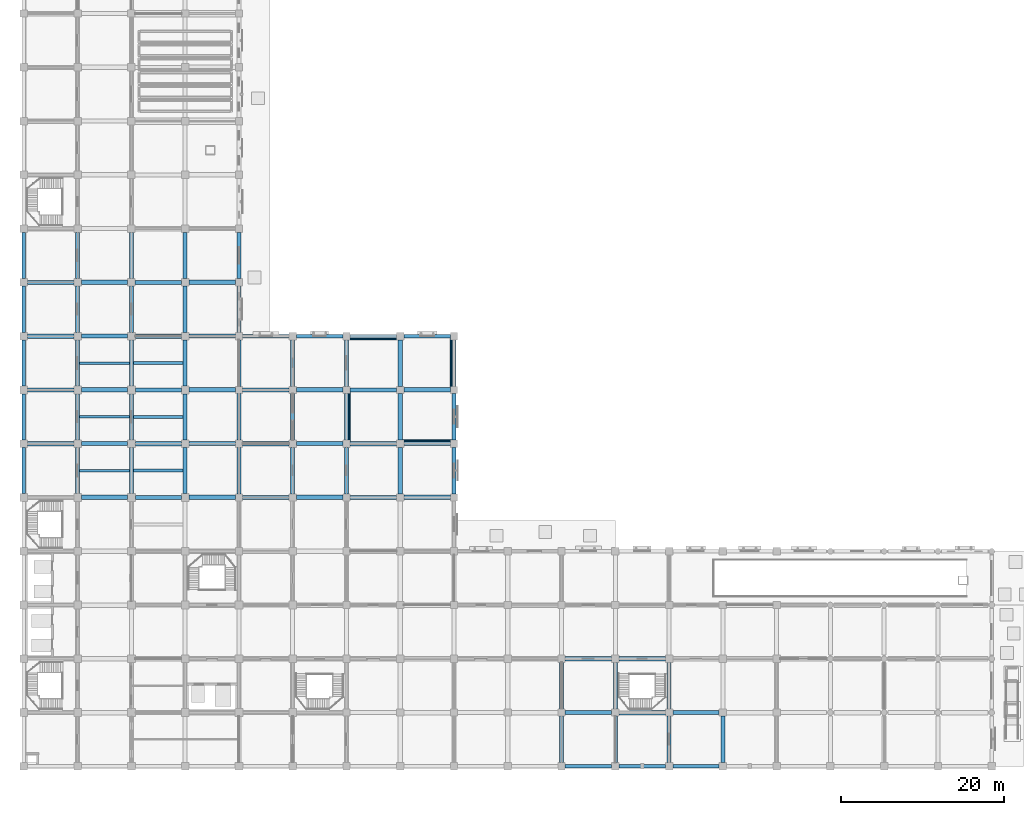
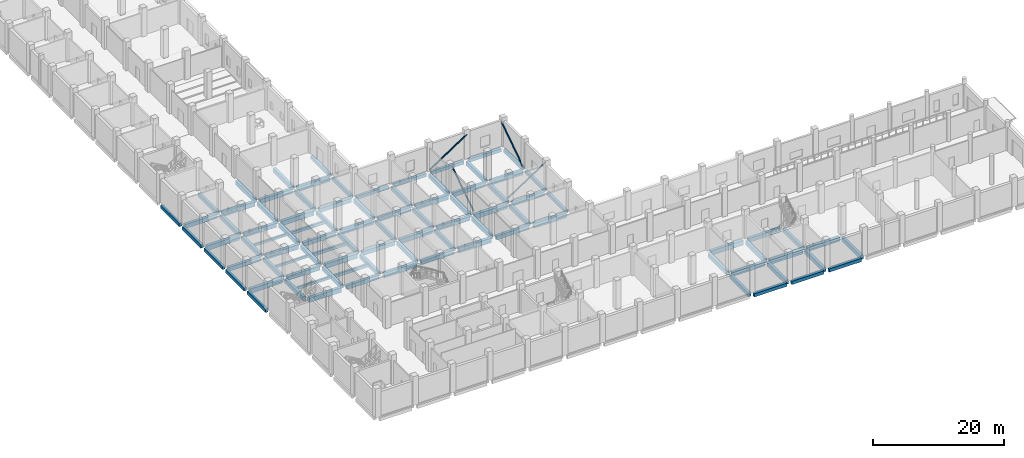
# One storey, part 3 of 28: 93 beams, 4 members.
"""IFC4 building model written with IfcOpenShell, lengths in metres."""

from ifc_helpers import new_model, si_unit, direction, frame, origin, origin_2d, place, context, subcontext, project, spatial, rectangle, hollow_circle, extrude, material, material_profile, profile_set, type_object, element, save


model = new_model("IFC4")

# Units and contexts
model_context = context("Model", 3, precision=1e-05, world=origin(), true_north=direction((0.0, 1.0)))
body_context = subcontext(model_context, "Body", "Model", "MODEL_VIEW")
ifc_project = project(units=[si_unit("LENGTHUNIT", "METRE"), si_unit("AREAUNIT", "SQUARE_METRE"), si_unit("VOLUMEUNIT", "CUBIC_METRE"), si_unit("PLANEANGLEUNIT", "RADIAN"), si_unit("MASSUNIT", "GRAM", prefix="KILO")], contexts=[model_context])

# Site, building, storey
site_placement = place(None, origin())
site = spatial("IfcSite", under=ifc_project, at=site_placement, CompositionType="ELEMENT")
building_placement = place(site_placement, origin())
building = spatial("IfcBuilding", under=site, at=building_placement, Name="Rusizi Kubbe Research Institute", CompositionType="ELEMENT")
storey_placement = place(building_placement, origin())
storey = spatial("IfcBuildingStorey", under=building, at=storey_placement, Name="L00", CompositionType="ELEMENT", Elevation=0.0)

# Beams
ifc_material_1 = material(Name="Concrete C40/50", Category="concrete")
ifc_material_profile_1 = material_profile(ifc_material_1, rectangle(XDim=0.300048828125, YDim=0.449951171875, at=origin_2d()), Name="RC300x450")
ifc_profile_set_1 = profile_set([ifc_material_profile_1], Name="Concrete C40/50")
beam_type_1 = type_object("IfcBeamType", Name="BM-RC300x450", PredefinedType="LINTEL", material=ifc_profile_set_1)
for number, where, z_axis, x_axis, name in (
    (1, (6.85009765625, 36.300048828125, -0.635009765625), (1.0, 0.0, 0.0), (0.0, 1.0, 0.0), "Corridor Portal Lintel Beam L00-05"),
    (2, (6.85009765625, 42.89990234375, -0.635009765625), (1.0, 0.0, 0.0), (0.0, 1.0, 0.0), "Corridor Portal Lintel Beam L00-06"),
    (3, (6.85009765625, 49.5, -0.635009765625), (1.0, 0.0, 0.0), (0.0, 1.0, 0.0), "Corridor Portal Lintel Beam L00-07"),
):
    element("IfcBeam", number, at=place(storey_placement, frame(where, z_axis=z_axis, x_axis=x_axis)), inside=storey, type_object=beam_type_1, Name=name, PredefinedType="LINTEL", context=body_context, shape_type="SweptSolid", body=[
        extrude(rectangle(XDim=0.300048828125, YDim=0.449951171875, at=origin_2d()), origin(), (0.0, 0.0, 1.0), 6.099853515625),
    ])
ifc_material_2 = material(Name="Concrete C40/50", Category="concrete")
ifc_material_profile_2 = material_profile(ifc_material_2, rectangle(XDim=0.35009765625, YDim=0.550048828125, at=origin_2d()), Name="RC350x550")
ifc_profile_set_2 = profile_set([ifc_material_profile_2], Name="Concrete C40/50")
beam_type_2 = type_object("IfcBeamType", Name="BM-RC350x550", PredefinedType="JOIST", material=ifc_profile_set_2)
for number, where, z_axis, x_axis, name in (
    (4, (13.449951171875, 36.300048828125, -0.68505859375), (1.0, 0.0, 0.0), (0.0, 1.0, 0.0), "Lab Stiffener Joist L00 (2,5)"),
    (5, (13.449951171875, 42.89990234375, -0.68505859375), (1.0, 0.0, 0.0), (0.0, 1.0, 0.0), "Lab Stiffener Joist L00 (2,6)"),
    (6, (13.449951171875, 49.5, -0.68505859375), (1.0, 0.0, 0.0), (0.0, 1.0, 0.0), "Lab Stiffener Joist L00 (2,7)"),
):
    element("IfcBeam", number, at=place(storey_placement, frame(where, z_axis=z_axis, x_axis=x_axis)), inside=storey, type_object=beam_type_2, Name=name, PredefinedType="JOIST", context=body_context, shape_type="SweptSolid", body=[
        extrude(rectangle(XDim=0.35009765625, YDim=0.550048828125, at=origin_2d()), origin(), (0.0, 0.0, 1.0), 6.10009765625),
    ])
ifc_material_3 = material(Name="Concrete C40/50", Category="concrete")
ifc_material_profile_3 = material_profile(ifc_material_3, rectangle(XDim=0.449951171875, YDim=0.60009765625, at=origin_2d()), Name="RC450x600")
ifc_profile_set_3 = profile_set([ifc_material_profile_3], Name="Concrete C40/50")
beam_type_3 = type_object("IfcBeamType", Name="BM-RC450x600", PredefinedType="SPANDREL", material=ifc_profile_set_3)
for number, where, z_axis, x_axis, name in (
    (7, (26.85009765625, 52.800048828125, -0.7099609375), (1.0, 0.0, 0.0), (0.0, 1.0, 0.0), "Grid Beam H L00 (4,8)"),
    (8, (33.449951171875, 52.800048828125, -0.7099609375), (1.0, 0.0, 0.0), (0.0, 1.0, 0.0), "Grid Beam H L00 (5,8)"),
    (9, (40.050048828125, 52.800048828125, -0.7099609375), (1.0, 0.0, 0.0), (0.0, 1.0, 0.0), "Grid Beam H L00 (6,8)"),
):
    element("IfcBeam", number, at=place(storey_placement, frame(where, z_axis=z_axis, x_axis=x_axis)), inside=storey, type_object=beam_type_3, Name=name, PredefinedType="SPANDREL", context=body_context, shape_type="SweptSolid", body=[
        extrude(rectangle(XDim=0.449951171875, YDim=0.60009765625, at=origin_2d()), origin(), (0.0, 0.0, 1.0), 5.699951171875),
    ])
beam_1_placement = place(storey_placement, frame((46.64990234375, 52.800048828125, -0.7099609375), z_axis=(1.0, 0.0, 0.0), x_axis=(0.0, 1.0, 0.0)))
element("IfcBeam", 10, at=beam_1_placement, inside=storey, type_object=beam_type_3, Name="Grid Beam H L00 (7,8)", PredefinedType="SPANDREL", context=body_context, shape_type="SweptSolid", body=[
    extrude(rectangle(XDim=0.449951171875, YDim=0.60009765625, at=origin_2d()), origin(), (0.0, 0.0, 1.0), 5.7001953125),
])
for number, where, z_axis, x_axis, name in (
    (11, (66.449951171875, 0.0, -0.7099609375), (1.0, 0.0, 0.0), (0.0, 1.0, 0.0), "Grid Beam H L00 (10,0)"),
    (12, (73.050048828125, 0.0, -0.7099609375), (1.0, 0.0, 0.0), (0.0, 1.0, 0.0), "Grid Beam H L00 (11,0)"),
):
    element("IfcBeam", number, at=place(storey_placement, frame(where, z_axis=z_axis, x_axis=x_axis)), inside=storey, type_object=beam_type_3, Name=name, PredefinedType="SPANDREL", context=body_context, shape_type="SweptSolid", body=[
        extrude(rectangle(XDim=0.449951171875, YDim=0.60009765625, at=origin_2d()), origin(), (0.0, 0.0, 1.0), 5.699951171875),
    ])
beam_2_placement = place(storey_placement, frame((79.64990234375, 0.0, -0.7099609375), z_axis=(1.0, 0.0, 0.0), x_axis=(0.0, 1.0, 0.0)))
element("IfcBeam", 13, at=beam_2_placement, inside=storey, type_object=beam_type_3, Name="Grid Beam H L00 (12,0)", PredefinedType="SPANDREL", context=body_context, shape_type="SweptSolid", body=[
    extrude(rectangle(XDim=0.449951171875, YDim=0.60009765625, at=origin_2d()), origin(), (0.0, 0.0, 1.0), 5.7001953125),
])
beam_3_placement = place(storey_placement, frame((0.0, 33.47509765625, -0.7099609375), z_axis=(0.0, 1.0, 0.0), x_axis=(-1.0, 0.0, 0.0)))
element("IfcBeam", 14, at=beam_3_placement, inside=storey, type_object=beam_type_3, Name="Grid Beam V L00 (0,5)", PredefinedType="SPANDREL", context=body_context, shape_type="SweptSolid", body=[
    extrude(rectangle(XDim=0.449951171875, YDim=0.60009765625, at=origin_2d()), origin(), (0.0, 0.0, 1.0), 5.64990234375),
])
beam_4_placement = place(storey_placement, frame((0.0, 40.074951171875, -0.7099609375), z_axis=(0.0, 1.0, 0.0), x_axis=(-1.0, 0.0, 0.0)))
element("IfcBeam", 15, at=beam_4_placement, inside=storey, type_object=beam_type_3, Name="Grid Beam V L00 (0,6)", PredefinedType="SPANDREL", context=body_context, shape_type="SweptSolid", body=[
    extrude(rectangle(XDim=0.449951171875, YDim=0.60009765625, at=origin_2d()), origin(), (0.0, 0.0, 1.0), 5.650146484375),
])
beam_5_placement = place(storey_placement, frame((0.0, 46.675048828125, -0.7099609375), z_axis=(0.0, 1.0, 0.0), x_axis=(-1.0, 0.0, 0.0)))
element("IfcBeam", 16, at=beam_5_placement, inside=storey, type_object=beam_type_3, Name="Grid Beam V L00 (0,7)", PredefinedType="SPANDREL", context=body_context, shape_type="SweptSolid", body=[
    extrude(rectangle(XDim=0.449951171875, YDim=0.60009765625, at=origin_2d()), origin(), (0.0, 0.0, 1.0), 5.64990234375),
])
beam_6_placement = place(storey_placement, frame((0.0, 53.27490234375, -0.7099609375), z_axis=(0.0, 1.0, 0.0), x_axis=(-1.0, 0.0, 0.0)))
element("IfcBeam", 17, at=beam_6_placement, inside=storey, type_object=beam_type_3, Name="Grid Beam V L00 (0,8)", PredefinedType="SPANDREL", context=body_context, shape_type="SweptSolid", body=[
    extrude(rectangle(XDim=0.449951171875, YDim=0.60009765625, at=origin_2d()), origin(), (0.0, 0.0, 1.0), 5.675048828125),
])
for number, where, z_axis, x_axis, name in (
    (18, (0.0, 59.85009765625, -0.7099609375), (0.0, 1.0, 0.0), (-1.0, 0.0, 0.0), "Grid Beam V L00 (0,9)"),
    (19, (26.39990234375, 53.25, -0.7099609375), (0.0, 1.0, 0.0), (-1.0, 0.0, 0.0), "Grid Beam V L00 (4,8)"),
    (20, (26.39990234375, 59.85009765625, -0.7099609375), (0.0, 1.0, 0.0), (-1.0, 0.0, 0.0), "Grid Beam V L00 (4,9)"),
    (21, (52.800048828125, 33.449951171875, -0.7099609375), (0.0, 1.0, 0.0), (-1.0, 0.0, 0.0), "Grid Beam V L00 (8,5)"),
    (22, (52.800048828125, 40.050048828125, -0.7099609375), (0.0, 1.0, 0.0), (-1.0, 0.0, 0.0), "Grid Beam V L00 (8,6)"),
):
    element("IfcBeam", number, at=place(storey_placement, frame(where, z_axis=z_axis, x_axis=x_axis)), inside=storey, type_object=beam_type_3, Name=name, PredefinedType="SPANDREL", context=body_context, shape_type="SweptSolid", body=[
        extrude(rectangle(XDim=0.449951171875, YDim=0.60009765625, at=origin_2d()), origin(), (0.0, 0.0, 1.0), 5.699951171875),
    ])
beam_7_placement = place(storey_placement, frame((52.800048828125, 46.64990234375, -0.7099609375), z_axis=(0.0, 1.0, 0.0), x_axis=(-1.0, 0.0, 0.0)))
element("IfcBeam", 23, at=beam_7_placement, inside=storey, type_object=beam_type_3, Name="Grid Beam V L00 (8,7)", PredefinedType="SPANDREL", context=body_context, shape_type="SweptSolid", body=[
    extrude(rectangle(XDim=0.449951171875, YDim=0.60009765625, at=origin_2d()), origin(), (0.0, 0.0, 1.0), 5.7001953125),
])
ifc_material_4 = material(Name="Concrete C45/55", Category="concrete")
ifc_material_profile_4 = material_profile(ifc_material_4, rectangle(XDim=0.5, YDim=0.75, at=origin_2d()), Name="RC500x750B")
ifc_profile_set_4 = profile_set([ifc_material_profile_4], Name="Concrete C45/55")
beam_type_4 = type_object("IfcBeamType", Name="BM-RC500x750", PredefinedType="BEAM", material=ifc_profile_set_4)
beam_8_placement = place(storey_placement, frame((0.47509765625, 46.199951171875, -0.784912109375), z_axis=(1.0, 0.0, 0.0), x_axis=(0.0, 1.0, 0.0)))
element("IfcBeam", 24, at=beam_8_placement, inside=storey, type_object=beam_type_4, Name="Grid Beam H L00 (0,7)", PredefinedType="BEAM", context=body_context, shape_type="SweptSolid", body=[
    extrude(rectangle(XDim=0.5, YDim=0.75, at=origin_2d()), origin(), (0.0, 0.0, 1.0), 5.64990234375),
])
beam_9_placement = place(storey_placement, frame((0.449951171875, 59.39990234375, -0.784912109375), z_axis=(1.0, 0.0, 0.0), x_axis=(0.0, 1.0, 0.0)))
element("IfcBeam", 25, at=beam_9_placement, inside=storey, type_object=beam_type_4, Name="Grid Beam H L00 (0,9)", PredefinedType="BEAM", context=body_context, shape_type="SweptSolid", body=[
    extrude(rectangle(XDim=0.5, YDim=0.75, at=origin_2d()), origin(), (0.0, 0.0, 1.0), 5.699951171875),
])
for number, where, z_axis, x_axis, name in (
    (26, (7.074951171875, 39.60009765625, -0.784912109375), (1.0, 0.0, 0.0), (0.0, 1.0, 0.0), "Grid Beam H L00 (1,6)"),
    (27, (7.074951171875, 52.800048828125, -0.784912109375), (1.0, 0.0, 0.0), (0.0, 1.0, 0.0), "Grid Beam H L00 (1,8)"),
):
    element("IfcBeam", number, at=place(storey_placement, frame(where, z_axis=z_axis, x_axis=x_axis)), inside=storey, type_object=beam_type_4, Name=name, PredefinedType="BEAM", context=body_context, shape_type="SweptSolid", body=[
        extrude(rectangle(XDim=0.5, YDim=0.75, at=origin_2d()), origin(), (0.0, 0.0, 1.0), 5.650146484375),
    ])
for number, where, z_axis, x_axis, name in (
    (28, (13.675048828125, 33.0, -0.784912109375), (1.0, 0.0, 0.0), (0.0, 1.0, 0.0), "Grid Beam H L00 (2,5)"),
    (29, (13.675048828125, 46.199951171875, -0.784912109375), (1.0, 0.0, 0.0), (0.0, 1.0, 0.0), "Grid Beam H L00 (2,7)"),
):
    element("IfcBeam", number, at=place(storey_placement, frame(where, z_axis=z_axis, x_axis=x_axis)), inside=storey, type_object=beam_type_4, Name=name, PredefinedType="BEAM", context=body_context, shape_type="SweptSolid", body=[
        extrude(rectangle(XDim=0.5, YDim=0.75, at=origin_2d()), origin(), (0.0, 0.0, 1.0), 5.64990234375),
    ])
beam_10_placement = place(storey_placement, frame((13.64990234375, 59.39990234375, -0.784912109375), z_axis=(1.0, 0.0, 0.0), x_axis=(0.0, 1.0, 0.0)))
element("IfcBeam", 30, at=beam_10_placement, inside=storey, type_object=beam_type_4, Name="Grid Beam H L00 (2,9)", PredefinedType="BEAM", context=body_context, shape_type="SweptSolid", body=[
    extrude(rectangle(XDim=0.5, YDim=0.75, at=origin_2d()), origin(), (0.0, 0.0, 1.0), 5.7001953125),
])
for number, where, z_axis, x_axis, name in (
    (31, (20.27490234375, 39.60009765625, -0.784912109375), (1.0, 0.0, 0.0), (0.0, 1.0, 0.0), "Grid Beam H L00 (3,6)"),
    (32, (20.27490234375, 52.800048828125, -0.784912109375), (1.0, 0.0, 0.0), (0.0, 1.0, 0.0), "Grid Beam H L00 (3,8)"),
):
    element("IfcBeam", number, at=place(storey_placement, frame(where, z_axis=z_axis, x_axis=x_axis)), inside=storey, type_object=beam_type_4, Name=name, PredefinedType="BEAM", context=body_context, shape_type="SweptSolid", body=[
        extrude(rectangle(XDim=0.5, YDim=0.75, at=origin_2d()), origin(), (0.0, 0.0, 1.0), 5.675048828125),
    ])
for number, where, z_axis, x_axis, name in (
    (33, (26.85009765625, 33.0, -0.784912109375), (1.0, 0.0, 0.0), (0.0, 1.0, 0.0), "Grid Beam H L00 (4,5)"),
    (34, (26.85009765625, 46.199951171875, -0.784912109375), (1.0, 0.0, 0.0), (0.0, 1.0, 0.0), "Grid Beam H L00 (4,7)"),
    (35, (33.449951171875, 39.60009765625, -0.784912109375), (1.0, 0.0, 0.0), (0.0, 1.0, 0.0), "Grid Beam H L00 (5,6)"),
    (36, (40.050048828125, 33.0, -0.784912109375), (1.0, 0.0, 0.0), (0.0, 1.0, 0.0), "Grid Beam H L00 (6,5)"),
    (37, (40.050048828125, 46.199951171875, -0.784912109375), (1.0, 0.0, 0.0), (0.0, 1.0, 0.0), "Grid Beam H L00 (6,7)"),
):
    element("IfcBeam", number, at=place(storey_placement, frame(where, z_axis=z_axis, x_axis=x_axis)), inside=storey, type_object=beam_type_4, Name=name, PredefinedType="BEAM", context=body_context, shape_type="SweptSolid", body=[
        extrude(rectangle(XDim=0.5, YDim=0.75, at=origin_2d()), origin(), (0.0, 0.0, 1.0), 5.699951171875),
    ])
beam_11_placement = place(storey_placement, frame((46.64990234375, 39.60009765625, -0.784912109375), z_axis=(1.0, 0.0, 0.0), x_axis=(0.0, 1.0, 0.0)))
element("IfcBeam", 38, at=beam_11_placement, inside=storey, type_object=beam_type_4, Name="Grid Beam H L00 (7,6)", PredefinedType="BEAM", context=body_context, shape_type="SweptSolid", body=[
    extrude(rectangle(XDim=0.5, YDim=0.75, at=origin_2d()), origin(), (0.0, 0.0, 1.0), 5.7001953125),
])
for number, where, z_axis, x_axis, name in (
    (39, (66.449951171875, 6.60009765625, -0.784912109375), (1.0, 0.0, 0.0), (0.0, 1.0, 0.0), "Grid Beam H L00 (10,1)"),
    (40, (73.050048828125, 13.199951171875, -0.784912109375), (1.0, 0.0, 0.0), (0.0, 1.0, 0.0), "Grid Beam H L00 (11,2)"),
):
    element("IfcBeam", number, at=place(storey_placement, frame(where, z_axis=z_axis, x_axis=x_axis)), inside=storey, type_object=beam_type_4, Name=name, PredefinedType="BEAM", context=body_context, shape_type="SweptSolid", body=[
        extrude(rectangle(XDim=0.5, YDim=0.75, at=origin_2d()), origin(), (0.0, 0.0, 1.0), 5.699951171875),
    ])
beam_12_placement = place(storey_placement, frame((79.64990234375, 6.60009765625, -0.784912109375), z_axis=(1.0, 0.0, 0.0), x_axis=(0.0, 1.0, 0.0)))
element("IfcBeam", 41, at=beam_12_placement, inside=storey, type_object=beam_type_4, Name="Grid Beam H L00 (12,1)", PredefinedType="BEAM", context=body_context, shape_type="SweptSolid", body=[
    extrude(rectangle(XDim=0.5, YDim=0.75, at=origin_2d()), origin(), (0.0, 0.0, 1.0), 5.7001953125),
])
beam_13_placement = place(storey_placement, frame((6.60009765625, 33.47509765625, -0.784912109375), z_axis=(0.0, 1.0, 0.0), x_axis=(-1.0, 0.0, 0.0)))
element("IfcBeam", 42, at=beam_13_placement, inside=storey, type_object=beam_type_4, Name="Grid Beam V L00 (1,5)", PredefinedType="BEAM", context=body_context, shape_type="SweptSolid", body=[
    extrude(rectangle(XDim=0.5, YDim=0.75, at=origin_2d()), origin(), (0.0, 0.0, 1.0), 5.64990234375),
])
beam_14_placement = place(storey_placement, frame((6.60009765625, 40.074951171875, -0.784912109375), z_axis=(0.0, 1.0, 0.0), x_axis=(-1.0, 0.0, 0.0)))
element("IfcBeam", 43, at=beam_14_placement, inside=storey, type_object=beam_type_4, Name="Grid Beam V L00 (1,6)", PredefinedType="BEAM", context=body_context, shape_type="SweptSolid", body=[
    extrude(rectangle(XDim=0.5, YDim=0.75, at=origin_2d()), origin(), (0.0, 0.0, 1.0), 5.650146484375),
])
beam_15_placement = place(storey_placement, frame((6.60009765625, 46.675048828125, -0.784912109375), z_axis=(0.0, 1.0, 0.0), x_axis=(-1.0, 0.0, 0.0)))
element("IfcBeam", 44, at=beam_15_placement, inside=storey, type_object=beam_type_4, Name="Grid Beam V L00 (1,7)", PredefinedType="BEAM", context=body_context, shape_type="SweptSolid", body=[
    extrude(rectangle(XDim=0.5, YDim=0.75, at=origin_2d()), origin(), (0.0, 0.0, 1.0), 5.64990234375),
])
beam_16_placement = place(storey_placement, frame((6.60009765625, 53.27490234375, -0.784912109375), z_axis=(0.0, 1.0, 0.0), x_axis=(-1.0, 0.0, 0.0)))
element("IfcBeam", 45, at=beam_16_placement, inside=storey, type_object=beam_type_4, Name="Grid Beam V L00 (1,8)", PredefinedType="BEAM", context=body_context, shape_type="SweptSolid", body=[
    extrude(rectangle(XDim=0.5, YDim=0.75, at=origin_2d()), origin(), (0.0, 0.0, 1.0), 5.675048828125),
])
beam_17_placement = place(storey_placement, frame((6.60009765625, 59.85009765625, -0.784912109375), z_axis=(0.0, 1.0, 0.0), x_axis=(-1.0, 0.0, 0.0)))
element("IfcBeam", 46, at=beam_17_placement, inside=storey, type_object=beam_type_4, Name="Grid Beam V L00 (1,9)", PredefinedType="BEAM", context=body_context, shape_type="SweptSolid", body=[
    extrude(rectangle(XDim=0.5, YDim=0.75, at=origin_2d()), origin(), (0.0, 0.0, 1.0), 5.699951171875),
])
beam_18_placement = place(storey_placement, frame((13.199951171875, 33.47509765625, -0.784912109375), z_axis=(0.0, 1.0, 0.0), x_axis=(-1.0, 0.0, 0.0)))
element("IfcBeam", 47, at=beam_18_placement, inside=storey, type_object=beam_type_4, Name="Grid Beam V L00 (2,5)", PredefinedType="BEAM", context=body_context, shape_type="SweptSolid", body=[
    extrude(rectangle(XDim=0.5, YDim=0.75, at=origin_2d()), origin(), (0.0, 0.0, 1.0), 5.64990234375),
])
beam_19_placement = place(storey_placement, frame((13.199951171875, 40.074951171875, -0.784912109375), z_axis=(0.0, 1.0, 0.0), x_axis=(-1.0, 0.0, 0.0)))
element("IfcBeam", 48, at=beam_19_placement, inside=storey, type_object=beam_type_4, Name="Grid Beam V L00 (2,6)", PredefinedType="BEAM", context=body_context, shape_type="SweptSolid", body=[
    extrude(rectangle(XDim=0.5, YDim=0.75, at=origin_2d()), origin(), (0.0, 0.0, 1.0), 5.650146484375),
])
beam_20_placement = place(storey_placement, frame((13.199951171875, 46.675048828125, -0.784912109375), z_axis=(0.0, 1.0, 0.0), x_axis=(-1.0, 0.0, 0.0)))
element("IfcBeam", 49, at=beam_20_placement, inside=storey, type_object=beam_type_4, Name="Grid Beam V L00 (2,7)", PredefinedType="BEAM", context=body_context, shape_type="SweptSolid", body=[
    extrude(rectangle(XDim=0.5, YDim=0.75, at=origin_2d()), origin(), (0.0, 0.0, 1.0), 5.64990234375),
])
beam_21_placement = place(storey_placement, frame((13.199951171875, 53.27490234375, -0.784912109375), z_axis=(0.0, 1.0, 0.0), x_axis=(-1.0, 0.0, 0.0)))
element("IfcBeam", 50, at=beam_21_placement, inside=storey, type_object=beam_type_4, Name="Grid Beam V L00 (2,8)", PredefinedType="BEAM", context=body_context, shape_type="SweptSolid", body=[
    extrude(rectangle(XDim=0.5, YDim=0.75, at=origin_2d()), origin(), (0.0, 0.0, 1.0), 5.675048828125),
])
beam_22_placement = place(storey_placement, frame((13.199951171875, 59.85009765625, -0.784912109375), z_axis=(0.0, 1.0, 0.0), x_axis=(-1.0, 0.0, 0.0)))
element("IfcBeam", 51, at=beam_22_placement, inside=storey, type_object=beam_type_4, Name="Grid Beam V L00 (2,9)", PredefinedType="BEAM", context=body_context, shape_type="SweptSolid", body=[
    extrude(rectangle(XDim=0.5, YDim=0.75, at=origin_2d()), origin(), (0.0, 0.0, 1.0), 5.699951171875),
])
beam_23_placement = place(storey_placement, frame((19.800048828125, 33.47509765625, -0.784912109375), z_axis=(0.0, 1.0, 0.0), x_axis=(-1.0, 0.0, 0.0)))
element("IfcBeam", 52, at=beam_23_placement, inside=storey, type_object=beam_type_4, Name="Grid Beam V L00 (3,5)", PredefinedType="BEAM", context=body_context, shape_type="SweptSolid", body=[
    extrude(rectangle(XDim=0.5, YDim=0.75, at=origin_2d()), origin(), (0.0, 0.0, 1.0), 5.64990234375),
])
beam_24_placement = place(storey_placement, frame((19.800048828125, 40.074951171875, -0.784912109375), z_axis=(0.0, 1.0, 0.0), x_axis=(-1.0, 0.0, 0.0)))
element("IfcBeam", 53, at=beam_24_placement, inside=storey, type_object=beam_type_4, Name="Grid Beam V L00 (3,6)", PredefinedType="BEAM", context=body_context, shape_type="SweptSolid", body=[
    extrude(rectangle(XDim=0.5, YDim=0.75, at=origin_2d()), origin(), (0.0, 0.0, 1.0), 5.650146484375),
])
beam_25_placement = place(storey_placement, frame((19.800048828125, 46.675048828125, -0.784912109375), z_axis=(0.0, 1.0, 0.0), x_axis=(-1.0, 0.0, 0.0)))
element("IfcBeam", 54, at=beam_25_placement, inside=storey, type_object=beam_type_4, Name="Grid Beam V L00 (3,7)", PredefinedType="BEAM", context=body_context, shape_type="SweptSolid", body=[
    extrude(rectangle(XDim=0.5, YDim=0.75, at=origin_2d()), origin(), (0.0, 0.0, 1.0), 5.64990234375),
])
beam_26_placement = place(storey_placement, frame((19.800048828125, 53.27490234375, -0.784912109375), z_axis=(0.0, 1.0, 0.0), x_axis=(-1.0, 0.0, 0.0)))
element("IfcBeam", 55, at=beam_26_placement, inside=storey, type_object=beam_type_4, Name="Grid Beam V L00 (3,8)", PredefinedType="BEAM", context=body_context, shape_type="SweptSolid", body=[
    extrude(rectangle(XDim=0.5, YDim=0.75, at=origin_2d()), origin(), (0.0, 0.0, 1.0), 5.675048828125),
])
for number, where, z_axis, x_axis, name in (
    (56, (19.800048828125, 59.85009765625, -0.784912109375), (0.0, 1.0, 0.0), (-1.0, 0.0, 0.0), "Grid Beam V L00 (3,9)"),
    (57, (26.39990234375, 33.449951171875, -0.784912109375), (0.0, 1.0, 0.0), (-1.0, 0.0, 0.0), "Grid Beam V L00 (4,5)"),
    (58, (26.39990234375, 40.050048828125, -0.784912109375), (0.0, 1.0, 0.0), (-1.0, 0.0, 0.0), "Grid Beam V L00 (4,6)"),
):
    element("IfcBeam", number, at=place(storey_placement, frame(where, z_axis=z_axis, x_axis=x_axis)), inside=storey, type_object=beam_type_4, Name=name, PredefinedType="BEAM", context=body_context, shape_type="SweptSolid", body=[
        extrude(rectangle(XDim=0.5, YDim=0.75, at=origin_2d()), origin(), (0.0, 0.0, 1.0), 5.699951171875),
    ])
beam_27_placement = place(storey_placement, frame((26.39990234375, 46.64990234375, -0.784912109375), z_axis=(0.0, 1.0, 0.0), x_axis=(-1.0, 0.0, 0.0)))
element("IfcBeam", 59, at=beam_27_placement, inside=storey, type_object=beam_type_4, Name="Grid Beam V L00 (4,7)", PredefinedType="BEAM", context=body_context, shape_type="SweptSolid", body=[
    extrude(rectangle(XDim=0.5, YDim=0.75, at=origin_2d()), origin(), (0.0, 0.0, 1.0), 5.7001953125),
])
for number, where, z_axis, x_axis, name in (
    (60, (33.0, 33.449951171875, -0.784912109375), (0.0, 1.0, 0.0), (-1.0, 0.0, 0.0), "Grid Beam V L00 (5,5)"),
    (61, (33.0, 40.050048828125, -0.784912109375), (0.0, 1.0, 0.0), (-1.0, 0.0, 0.0), "Grid Beam V L00 (5,6)"),
):
    element("IfcBeam", number, at=place(storey_placement, frame(where, z_axis=z_axis, x_axis=x_axis)), inside=storey, type_object=beam_type_4, Name=name, PredefinedType="BEAM", context=body_context, shape_type="SweptSolid", body=[
        extrude(rectangle(XDim=0.5, YDim=0.75, at=origin_2d()), origin(), (0.0, 0.0, 1.0), 5.699951171875),
    ])
beam_28_placement = place(storey_placement, frame((33.0, 46.64990234375, -0.784912109375), z_axis=(0.0, 1.0, 0.0), x_axis=(-1.0, 0.0, 0.0)))
element("IfcBeam", 62, at=beam_28_placement, inside=storey, type_object=beam_type_4, Name="Grid Beam V L00 (5,7)", PredefinedType="BEAM", context=body_context, shape_type="SweptSolid", body=[
    extrude(rectangle(XDim=0.5, YDim=0.75, at=origin_2d()), origin(), (0.0, 0.0, 1.0), 5.7001953125),
])
for number, where, z_axis, x_axis, name in (
    (63, (39.60009765625, 33.449951171875, -0.784912109375), (0.0, 1.0, 0.0), (-1.0, 0.0, 0.0), "Grid Beam V L00 (6,5)"),
    (64, (39.60009765625, 40.050048828125, -0.784912109375), (0.0, 1.0, 0.0), (-1.0, 0.0, 0.0), "Grid Beam V L00 (6,6)"),
):
    element("IfcBeam", number, at=place(storey_placement, frame(where, z_axis=z_axis, x_axis=x_axis)), inside=storey, type_object=beam_type_4, Name=name, PredefinedType="BEAM", context=body_context, shape_type="SweptSolid", body=[
        extrude(rectangle(XDim=0.5, YDim=0.75, at=origin_2d()), origin(), (0.0, 0.0, 1.0), 5.699951171875),
    ])
beam_29_placement = place(storey_placement, frame((39.60009765625, 46.64990234375, -0.784912109375), z_axis=(0.0, 1.0, 0.0), x_axis=(-1.0, 0.0, 0.0)))
element("IfcBeam", 65, at=beam_29_placement, inside=storey, type_object=beam_type_4, Name="Grid Beam V L00 (6,7)", PredefinedType="BEAM", context=body_context, shape_type="SweptSolid", body=[
    extrude(rectangle(XDim=0.5, YDim=0.75, at=origin_2d()), origin(), (0.0, 0.0, 1.0), 5.7001953125),
])
for number, where, z_axis, x_axis, name in (
    (66, (46.199951171875, 33.449951171875, -0.784912109375), (0.0, 1.0, 0.0), (-1.0, 0.0, 0.0), "Grid Beam V L00 (7,5)"),
    (67, (46.199951171875, 40.050048828125, -0.784912109375), (0.0, 1.0, 0.0), (-1.0, 0.0, 0.0), "Grid Beam V L00 (7,6)"),
):
    element("IfcBeam", number, at=place(storey_placement, frame(where, z_axis=z_axis, x_axis=x_axis)), inside=storey, type_object=beam_type_4, Name=name, PredefinedType="BEAM", context=body_context, shape_type="SweptSolid", body=[
        extrude(rectangle(XDim=0.5, YDim=0.75, at=origin_2d()), origin(), (0.0, 0.0, 1.0), 5.699951171875),
    ])
beam_30_placement = place(storey_placement, frame((46.199951171875, 46.64990234375, -0.784912109375), z_axis=(0.0, 1.0, 0.0), x_axis=(-1.0, 0.0, 0.0)))
element("IfcBeam", 68, at=beam_30_placement, inside=storey, type_object=beam_type_4, Name="Grid Beam V L00 (7,7)", PredefinedType="BEAM", context=body_context, shape_type="SweptSolid", body=[
    extrude(rectangle(XDim=0.5, YDim=0.75, at=origin_2d()), origin(), (0.0, 0.0, 1.0), 5.7001953125),
])
for number, where, z_axis, x_axis, name in (
    (69, (66.0, 0.449951171875, -0.784912109375), (0.0, 1.0, 0.0), (-1.0, 0.0, 0.0), "Grid Beam V L00 (10,0)"),
    (70, (66.0, 7.050048828125, -0.784912109375), (0.0, 1.0, 0.0), (-1.0, 0.0, 0.0), "Grid Beam V L00 (10,1)"),
    (71, (72.60009765625, 0.449951171875, -0.784912109375), (0.0, 1.0, 0.0), (-1.0, 0.0, 0.0), "Grid Beam V L00 (11,0)"),
    (72, (72.60009765625, 7.050048828125, -0.784912109375), (0.0, 1.0, 0.0), (-1.0, 0.0, 0.0), "Grid Beam V L00 (11,1)"),
    (73, (79.199951171875, 0.449951171875, -0.784912109375), (0.0, 1.0, 0.0), (-1.0, 0.0, 0.0), "Grid Beam V L00 (12,0)"),
    (74, (79.199951171875, 7.050048828125, -0.784912109375), (0.0, 1.0, 0.0), (-1.0, 0.0, 0.0), "Grid Beam V L00 (12,1)"),
    (75, (85.800048828125, 0.449951171875, -0.784912109375), (0.0, 1.0, 0.0), (-1.0, 0.0, 0.0), "Grid Beam V L00 (13,0)"),
):
    element("IfcBeam", number, at=place(storey_placement, frame(where, z_axis=z_axis, x_axis=x_axis)), inside=storey, type_object=beam_type_4, Name=name, PredefinedType="BEAM", context=body_context, shape_type="SweptSolid", body=[
        extrude(rectangle(XDim=0.5, YDim=0.75, at=origin_2d()), origin(), (0.0, 0.0, 1.0), 5.699951171875),
    ])
ifc_material_5 = material(Name="Concrete C45/55", Category="concrete")
ifc_material_profile_5 = material_profile(ifc_material_5, rectangle(XDim=0.550048828125, YDim=0.85009765625, at=origin_2d()), Name="RC550x850")
ifc_profile_set_5 = profile_set([ifc_material_profile_5], Name="Concrete C45/55")
beam_type_5 = type_object("IfcBeamType", Name="BM-RC550x850", PredefinedType="BEAM", material=ifc_profile_set_5)
for number, where, z_axis, x_axis, name in (
    (76, (0.47509765625, 39.60009765625, -0.8349609375), (1.0, 0.0, 0.0), (0.0, 1.0, 0.0), "Grid Beam H L00 (0,6)"),
    (77, (0.47509765625, 52.800048828125, -0.8349609375), (1.0, 0.0, 0.0), (0.0, 1.0, 0.0), "Grid Beam H L00 (0,8)"),
):
    element("IfcBeam", number, at=place(storey_placement, frame(where, z_axis=z_axis, x_axis=x_axis)), inside=storey, type_object=beam_type_5, Name=name, PredefinedType="BEAM", context=body_context, shape_type="SweptSolid", body=[
        extrude(rectangle(XDim=0.550048828125, YDim=0.85009765625, at=origin_2d()), origin(), (0.0, 0.0, 1.0), 5.64990234375),
    ])
for number, where, z_axis, x_axis, name in (
    (78, (7.074951171875, 33.0, -0.8349609375), (1.0, 0.0, 0.0), (0.0, 1.0, 0.0), "Grid Beam H L00 (1,5)"),
    (79, (7.074951171875, 46.199951171875, -0.8349609375), (1.0, 0.0, 0.0), (0.0, 1.0, 0.0), "Grid Beam H L00 (1,7)"),
):
    element("IfcBeam", number, at=place(storey_placement, frame(where, z_axis=z_axis, x_axis=x_axis)), inside=storey, type_object=beam_type_5, Name=name, PredefinedType="BEAM", context=body_context, shape_type="SweptSolid", body=[
        extrude(rectangle(XDim=0.550048828125, YDim=0.85009765625, at=origin_2d()), origin(), (0.0, 0.0, 1.0), 5.650146484375),
    ])
beam_31_placement = place(storey_placement, frame((7.050048828125, 59.39990234375, -0.8349609375), z_axis=(1.0, 0.0, 0.0), x_axis=(0.0, 1.0, 0.0)))
element("IfcBeam", 80, at=beam_31_placement, inside=storey, type_object=beam_type_5, Name="Grid Beam H L00 (1,9)", PredefinedType="BEAM", context=body_context, shape_type="SweptSolid", body=[
    extrude(rectangle(XDim=0.550048828125, YDim=0.85009765625, at=origin_2d()), origin(), (0.0, 0.0, 1.0), 5.699951171875),
])
for number, where, z_axis, x_axis, name in (
    (81, (13.675048828125, 39.60009765625, -0.8349609375), (1.0, 0.0, 0.0), (0.0, 1.0, 0.0), "Grid Beam H L00 (2,6)"),
    (82, (13.675048828125, 52.800048828125, -0.8349609375), (1.0, 0.0, 0.0), (0.0, 1.0, 0.0), "Grid Beam H L00 (2,8)"),
):
    element("IfcBeam", number, at=place(storey_placement, frame(where, z_axis=z_axis, x_axis=x_axis)), inside=storey, type_object=beam_type_5, Name=name, PredefinedType="BEAM", context=body_context, shape_type="SweptSolid", body=[
        extrude(rectangle(XDim=0.550048828125, YDim=0.85009765625, at=origin_2d()), origin(), (0.0, 0.0, 1.0), 5.64990234375),
    ])
for number, where, z_axis, x_axis, name in (
    (83, (20.27490234375, 33.0, -0.8349609375), (1.0, 0.0, 0.0), (0.0, 1.0, 0.0), "Grid Beam H L00 (3,5)"),
    (84, (20.27490234375, 46.199951171875, -0.8349609375), (1.0, 0.0, 0.0), (0.0, 1.0, 0.0), "Grid Beam H L00 (3,7)"),
):
    element("IfcBeam", number, at=place(storey_placement, frame(where, z_axis=z_axis, x_axis=x_axis)), inside=storey, type_object=beam_type_5, Name=name, PredefinedType="BEAM", context=body_context, shape_type="SweptSolid", body=[
        extrude(rectangle(XDim=0.550048828125, YDim=0.85009765625, at=origin_2d()), origin(), (0.0, 0.0, 1.0), 5.675048828125),
    ])
for number, where, z_axis, x_axis, name in (
    (85, (20.25, 59.39990234375, -0.8349609375), (1.0, 0.0, 0.0), (0.0, 1.0, 0.0), "Grid Beam H L00 (3,9)"),
    (86, (26.85009765625, 39.60009765625, -0.8349609375), (1.0, 0.0, 0.0), (0.0, 1.0, 0.0), "Grid Beam H L00 (4,6)"),
    (87, (33.449951171875, 33.0, -0.8349609375), (1.0, 0.0, 0.0), (0.0, 1.0, 0.0), "Grid Beam H L00 (5,5)"),
    (88, (33.449951171875, 46.199951171875, -0.8349609375), (1.0, 0.0, 0.0), (0.0, 1.0, 0.0), "Grid Beam H L00 (5,7)"),
    (89, (40.050048828125, 39.60009765625, -0.8349609375), (1.0, 0.0, 0.0), (0.0, 1.0, 0.0), "Grid Beam H L00 (6,6)"),
):
    element("IfcBeam", number, at=place(storey_placement, frame(where, z_axis=z_axis, x_axis=x_axis)), inside=storey, type_object=beam_type_5, Name=name, PredefinedType="BEAM", context=body_context, shape_type="SweptSolid", body=[
        extrude(rectangle(XDim=0.550048828125, YDim=0.85009765625, at=origin_2d()), origin(), (0.0, 0.0, 1.0), 5.699951171875),
    ])
for number, where, z_axis, x_axis, name in (
    (90, (46.64990234375, 33.0, -0.8349609375), (1.0, 0.0, 0.0), (0.0, 1.0, 0.0), "Grid Beam H L00 (7,5)"),
    (91, (46.64990234375, 46.199951171875, -0.8349609375), (1.0, 0.0, 0.0), (0.0, 1.0, 0.0), "Grid Beam H L00 (7,7)"),
):
    element("IfcBeam", number, at=place(storey_placement, frame(where, z_axis=z_axis, x_axis=x_axis)), inside=storey, type_object=beam_type_5, Name=name, PredefinedType="BEAM", context=body_context, shape_type="SweptSolid", body=[
        extrude(rectangle(XDim=0.550048828125, YDim=0.85009765625, at=origin_2d()), origin(), (0.0, 0.0, 1.0), 5.7001953125),
    ])
for number, where, z_axis, x_axis, name in (
    (92, (66.449951171875, 13.199951171875, -0.8349609375), (1.0, 0.0, 0.0), (0.0, 1.0, 0.0), "Grid Beam H L00 (10,2)"),
    (93, (73.050048828125, 6.60009765625, -0.8349609375), (1.0, 0.0, 0.0), (0.0, 1.0, 0.0), "Grid Beam H L00 (11,1)"),
):
    element("IfcBeam", number, at=place(storey_placement, frame(where, z_axis=z_axis, x_axis=x_axis)), inside=storey, type_object=beam_type_5, Name=name, PredefinedType="BEAM", context=body_context, shape_type="SweptSolid", body=[
        extrude(rectangle(XDim=0.550048828125, YDim=0.85009765625, at=origin_2d()), origin(), (0.0, 0.0, 1.0), 5.699951171875),
    ])

# Members
ifc_material_6 = material(Name="Steel S355", Category="steel")
ifc_material_profile_6 = material_profile(ifc_material_6, hollow_circle(Radius=0.136474609375, WallThickness=0.010009765625, at=origin_2d()), Name="CHS 273.0x10.0")
ifc_profile_set_6 = profile_set([ifc_material_profile_6], Name="Steel S355")
member_type = type_object("IfcMemberType", Name="MB-CHS273", PredefinedType="BRACE", material=ifc_profile_set_6)
member_1_placement = place(storey_placement, frame((39.9599609375, 39.60009765625, 0.14990234375), z_axis=(0.0, 0.834946915459, 0.550330490129), x_axis=(-1.0, 0.0, 0.0)))
element("IfcMember", 94, at=member_1_placement, inside=storey, type_object=member_type, Name="Atrium Frame Lateral Brace L00-W", PredefinedType="BRACE", context=body_context, shape_type="SweptSolid", body=[
    extrude(hollow_circle(Radius=0.136474609375, WallThickness=0.010009765625, at=origin_2d()), origin(), (0.0, 0.0, 1.0), 7.904541015625),
])
member_2_placement = place(storey_placement, frame((46.199951171875, 39.9599609375, 0.14990234375), z_axis=(0.834956269408, 0.0, 0.550316298302), x_axis=(0.0, 1.0, 0.0)))
element("IfcMember", 95, at=member_2_placement, inside=storey, type_object=member_type, Name="Atrium Frame Lateral Brace L00-S", PredefinedType="BRACE", context=body_context, shape_type="SweptSolid", body=[
    extrude(hollow_circle(Radius=0.136474609375, WallThickness=0.010009765625, at=origin_2d()), origin(), (0.0, 0.0, 1.0), 7.90478515625),
])
member_3_placement = place(storey_placement, frame((39.60009765625, 52.43994140625, 0.14990234375), z_axis=(0.834946915459, 0.0, 0.550330490129), x_axis=(0.0, 1.0, 0.0)))
element("IfcMember", 96, at=member_3_placement, inside=storey, type_object=member_type, Name="Atrium Frame Lateral Brace L00-N", PredefinedType="BRACE", context=body_context, shape_type="SweptSolid", body=[
    extrude(hollow_circle(Radius=0.136474609375, WallThickness=0.010009765625, at=origin_2d()), origin(), (0.0, 0.0, 1.0), 7.904541015625),
])
member_4_placement = place(storey_placement, frame((52.43994140625, 46.199951171875, 0.14990234375), z_axis=(0.0, 0.834956269408, 0.550316298302), x_axis=(-1.0, 0.0, 0.0)))
element("IfcMember", 97, at=member_4_placement, inside=storey, type_object=member_type, Name="Atrium Frame Lateral Brace L00-E", PredefinedType="BRACE", context=body_context, shape_type="SweptSolid", body=[
    extrude(hollow_circle(Radius=0.136474609375, WallThickness=0.010009765625, at=origin_2d()), origin(), (0.0, 0.0, 1.0), 7.90478515625),
])

save(model, "model.ifc")
